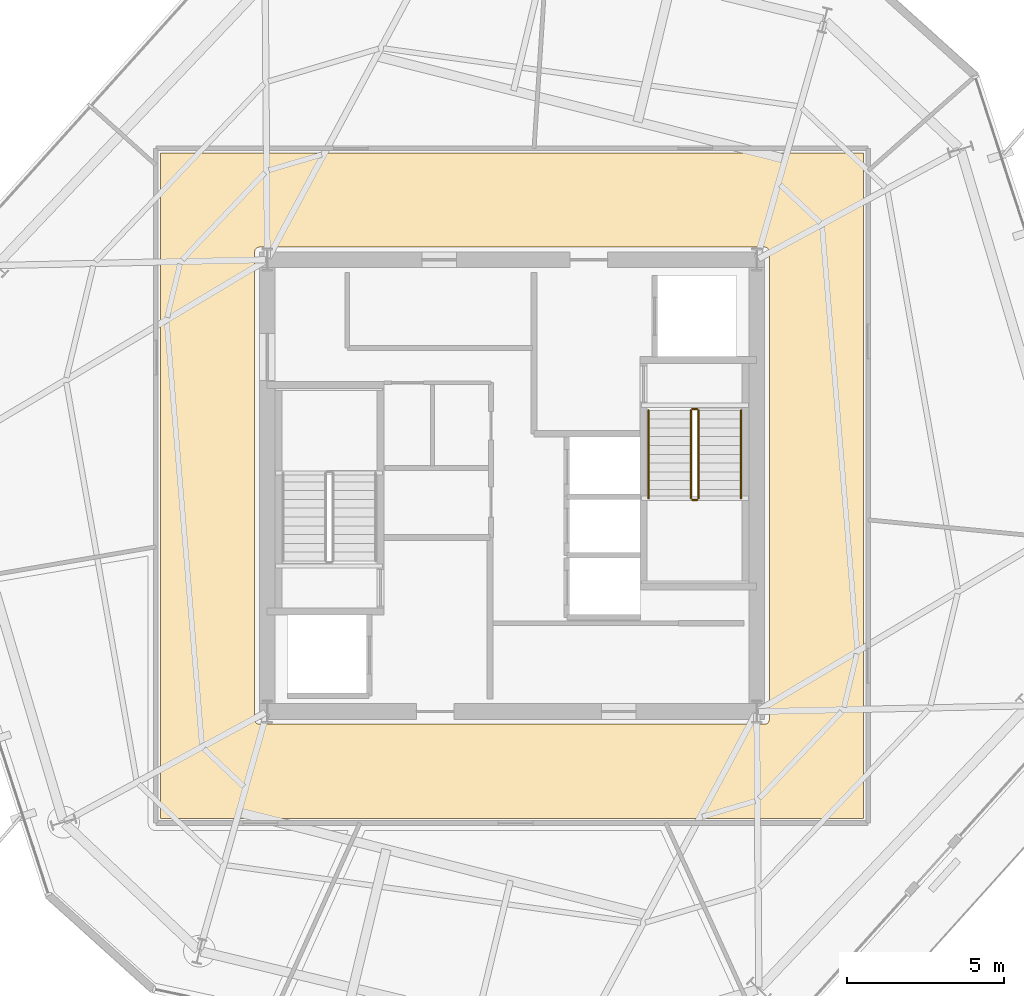
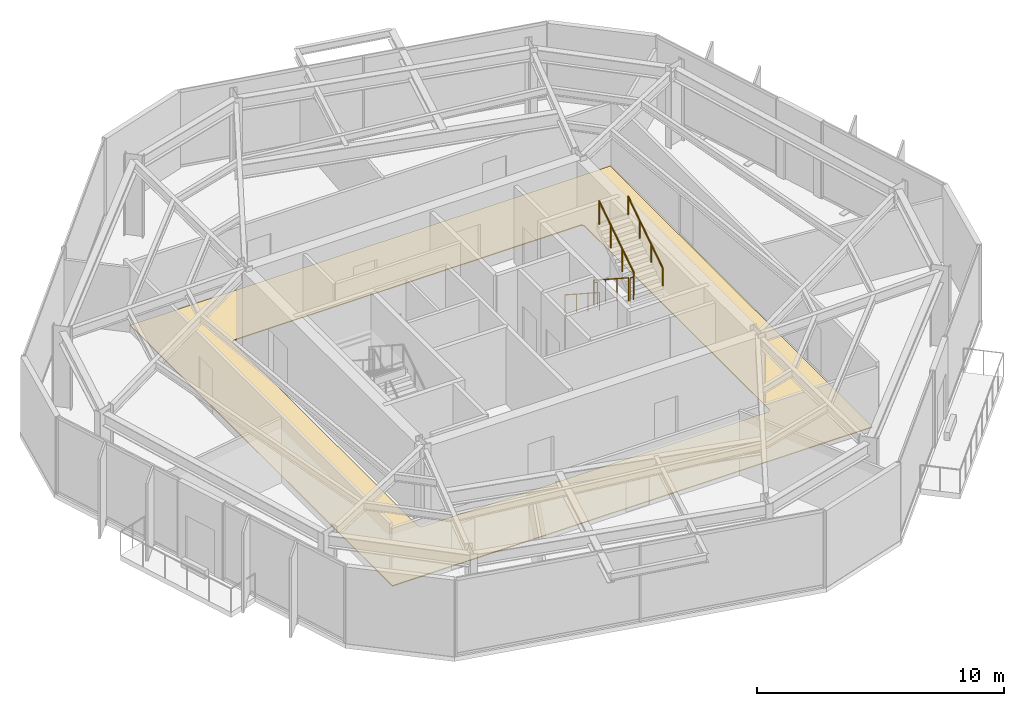
# One storey, part 10 of 11: 6 railings, 1 covering.
"""IFC4 building model written with IfcOpenShell, lengths in metres."""

import ifcopenshell
import ifcopenshell.guid

model = None  # the IFC model being written
_history = None  # IfcOwnerHistory: only IFC2X3 demands one
_inside = {}  # id of a spatial element -> (the spatial element, [elements in it])
_under = {}  # id of a project, library or spatial element -> (it, [spatial elements below it])
_declared = {}  # id of a project -> (the project, [libraries it declares])
_typed = {}  # id of a type object -> (the type object, [elements of that type])
_made_of = {}  # id of a material, layer set ... -> (it, [elements and type objects made of it])


def new_model(schema):
    """Start an empty IFC model of exactly this schema.

    Asked for "IFC4X3", IfcOpenShell would pick the latest addendum, in which some entities
    have other attributes; the version numbers below select the first issue.
    IFC2X3 requires an IfcOwnerHistory on every rooted entity: one is made here for all.
    """
    global model, _history
    if schema == "IFC4X3":
        model = ifcopenshell.file(schema_version=(4, 3, 0, 0))
    else:
        model = ifcopenshell.file(schema=schema)
    _inside.clear()
    _under.clear()
    _declared.clear()
    _typed.clear()
    _made_of.clear()
    _history = None
    if model.schema == "IFC2X3":
        org = make("IfcOrganization", Name="unknown")
        user = make(
            "IfcPersonAndOrganization",
            ThePerson=make("IfcPerson", FamilyName="unknown"),
            TheOrganization=org,
        )
        app = make(
            "IfcApplication",
            ApplicationDeveloper=org,
            Version="unknown",
            ApplicationFullName="unknown",
            ApplicationIdentifier="unknown",
        )
        _history = make(
            "IfcOwnerHistory",
            OwningUser=user,
            OwningApplication=app,
            ChangeAction="ADDED",
            CreationDate=0,
        )
    return model


def make(cls, **values):
    """One entity of the class cls with the attributes given. An attribute that is None is left unset."""
    return model.create_entity(
        cls, **{name: value for name, value in values.items() if value is not None}
    )


def rooted(cls, **values):
    """An entity with a GlobalId (a new one), such as an element, a storey or a relation."""
    return make(cls, GlobalId=ifcopenshell.guid.new(), OwnerHistory=_history, **values)


def si_unit(unit_type, name, prefix=None):
    """IfcSIUnit, for example si_unit("LENGTHUNIT", "METRE", prefix="MILLI")."""
    return make("IfcSIUnit", UnitType=unit_type, Prefix=prefix, Name=name)


def assignment(units):
    """IfcUnitAssignment: the units of a project."""
    return None if units is None else make("IfcUnitAssignment", Units=units)


def point(xyz):
    """IfcCartesianPoint."""
    return None if xyz is None else make("IfcCartesianPoint", Coordinates=xyz)


def direction(xyz):
    """IfcDirection."""
    return None if xyz is None else make("IfcDirection", DirectionRatios=xyz)


def frame(location, z_axis=None, x_axis=None):
    """IfcAxis2Placement3D, a coordinate frame: its origin and axes. An axis left out is left unset."""
    return make(
        "IfcAxis2Placement3D",
        Location=point(location),
        Axis=direction(z_axis),
        RefDirection=direction(x_axis),
    )


def frame_2d(location, x_axis=None):
    """IfcAxis2Placement2D, a coordinate frame in the plane: its origin and x axis."""
    return make(
        "IfcAxis2Placement2D", Location=point(location), RefDirection=direction(x_axis)
    )


def origin():
    """The frame at (0, 0, 0) with its axes left unset."""
    return frame((0.0, 0.0, 0.0))


def origin_2d():
    """The frame at (0, 0) in the plane with its x axis left unset."""
    return frame_2d((0.0, 0.0))


def place(relative_to, where):
    """IfcLocalPlacement: puts the frame where relative to a parent placement (None: the world)."""
    return make(
        "IfcLocalPlacement", PlacementRelTo=relative_to, RelativePlacement=where
    )


def context(
    kind, dimensions, precision=None, world=None, true_north=None, identifier=None
):
    """IfcGeometricRepresentationContext, for example the 3D "Model" context."""
    return make(
        "IfcGeometricRepresentationContext",
        ContextIdentifier=identifier,
        ContextType=kind,
        CoordinateSpaceDimension=dimensions,
        Precision=precision,
        WorldCoordinateSystem=world,
        TrueNorth=true_north,
    )


def subcontext(parent, identifier, kind, view, scale=None):
    """IfcGeometricRepresentationSubContext, for example "Body" below "Model"."""
    return make(
        "IfcGeometricRepresentationSubContext",
        ContextIdentifier=identifier,
        ContextType=kind,
        ParentContext=parent,
        TargetScale=scale,
        TargetView=view,
    )


def project(units=None, contexts=None):
    """IfcProject with its units and contexts."""
    return rooted(
        "IfcProject",
        Name="project",
        RepresentationContexts=contexts,
        UnitsInContext=assignment(units),
    )


def spatial(cls, under=None, at=None, **own):
    """A site, building, storey or space (cls), placed at a placement, below another one or the project."""
    s = rooted(cls, ObjectPlacement=at, **own)
    if under is not None:
        _under.setdefault(under.id(), (under, []))[1].append(s)
    return s


def polyline(points):
    """IfcPolyline through the points."""
    return make("IfcPolyline", Points=[point(p) for p in points])


def profile(cls, at=None, kind="AREA", **sizes):
    """A parametric profile (cls). Its sizes go by their IFC names, for example OverallWidth=200.0."""
    return make(cls, ProfileType=kind, Position=at, **sizes)


def circle(**sizes):
    """IfcCircleProfileDef."""
    return profile("IfcCircleProfileDef", **sizes)


def outline(outer, holes=None, kind="AREA"):
    """IfcArbitraryClosedProfileDef: a profile drawn as a closed curve; with holes, ...WithVoids."""
    if holes is None:
        return make("IfcArbitraryClosedProfileDef", ProfileType=kind, OuterCurve=outer)
    return make(
        "IfcArbitraryProfileDefWithVoids",
        ProfileType=kind,
        OuterCurve=outer,
        InnerCurves=holes,
    )


def extrude(swept, where, along, depth):
    """IfcExtrudedAreaSolid: the profile swept, set in the frame where, extruded along a direction by depth."""
    return make(
        "IfcExtrudedAreaSolid",
        SweptArea=swept,
        Position=where,
        ExtrudedDirection=direction(along),
        Depth=depth,
    )


def shape(context_of_items, identifier, shape_type, items):
    """IfcShapeRepresentation: the items that make up one representation, for example the "Body"."""
    return make(
        "IfcShapeRepresentation",
        ContextOfItems=context_of_items,
        RepresentationIdentifier=identifier,
        RepresentationType=shape_type,
        Items=items,
    )


def material(Name=None, Category=None):
    """IfcMaterial."""
    return make("IfcMaterial", Name=Name, Category=Category)


def layer(
    of_material, thickness, ventilated=None, Name=None, Category=None, Priority=None
):
    """IfcMaterialLayer: one layer of a wall or slab, of a material (None: an air gap)."""
    return make(
        "IfcMaterialLayer",
        Material=of_material,
        LayerThickness=thickness,
        IsVentilated=ventilated,
        Name=Name,
        Category=Category,
        Priority=Priority,
    )


def layer_set(layers, Name=None):
    """IfcMaterialLayerSet."""
    return make("IfcMaterialLayerSet", MaterialLayers=layers, LayerSetName=Name)


def made_of(thing, what):
    """Note that an element or type object is made of a material, layer set ...; save() writes the relation."""
    if what is not None:
        _made_of.setdefault(what.id(), (what, []))[1].append(thing)
    return thing


def type_object(cls, material=None, **own):
    """A type object (cls), such as IfcWallType, which elements share."""
    return made_of(rooted(cls, **own), material)


def element(
    cls,
    number,
    at=None,
    inside=None,
    cuts=None,
    type_object=None,
    material=None,
    context=None,
    identifier="Body",
    shape_type=None,
    held_by="IfcProductDefinitionShape",
    body=None,
    shapes=None,
    **own,
):
    """One element of the class cls, such as IfcWall. Its Tag is "e" and its number.

    at: its placement. inside: the storey or other place that contains it. cuts: it is an
    opening in that element (IfcRelVoidsElement). A single representation is given by context,
    identifier, shape_type and body (its items); several are given by shapes. held_by: the class
    of the entity that holds the representations. save() writes the other relations.
    """
    e = rooted(cls, Tag="e%d" % number, ObjectPlacement=at, **own)
    if body is not None:
        shapes = [shape(context, identifier, shape_type, body)]
    if shapes is not None:
        e.Representation = make(held_by, Representations=shapes)
    if inside is not None:
        _inside.setdefault(inside.id(), (inside, []))[1].append(e)
    if cuts is not None:
        rooted(
            "IfcRelVoidsElement", RelatingBuildingElement=cuts, RelatedOpeningElement=e
        )
    if type_object is not None:
        _typed.setdefault(type_object.id(), (type_object, []))[1].append(e)
    return made_of(e, material)


def aggregate(whole, parts):
    """IfcRelAggregates: a whole, such as a stair, and the parts it consists of."""
    return rooted("IfcRelAggregates", RelatingObject=whole, RelatedObjects=parts)


def save(model, path):
    """Write the relations noted so far, then the file.

    IfcRelAggregates (storeys below a building ...), IfcRelContainedInSpatialStructure (elements
    in a storey), IfcRelDefinesByType, IfcRelAssociatesMaterial and IfcRelDeclares: one each for
    every whole, place, type object, material and project.
    """
    for whole, parts in _under.values():
        aggregate(whole, parts)
    for where, things in _inside.values():
        rooted(
            "IfcRelContainedInSpatialStructure",
            RelatedElements=things,
            RelatingStructure=where,
        )
    for kind, things in _typed.values():
        rooted("IfcRelDefinesByType", RelatedObjects=things, RelatingType=kind)
    for what, things in _made_of.values():
        rooted("IfcRelAssociatesMaterial", RelatedObjects=things, RelatingMaterial=what)
    for by, libraries in _declared.values():
        rooted("IfcRelDeclares", RelatingContext=by, RelatedDefinitions=libraries)
    model.write(path)


model = new_model("IFC4")

# Units and contexts
model_context = context("Model", 3, precision=1e-05, world=origin(), true_north=direction((0.0, 1.0)))
body_context = subcontext(model_context, "Body", "Model", "MODEL_VIEW")
ifc_project = project(units=[si_unit("LENGTHUNIT", "METRE"), si_unit("AREAUNIT", "SQUARE_METRE"), si_unit("VOLUMEUNIT", "CUBIC_METRE"), si_unit("PLANEANGLEUNIT", "RADIAN"), si_unit("MASSUNIT", "GRAM", prefix="KILO")], contexts=[model_context])

# Site, building, storey
site_placement = place(None, origin())
site = spatial("IfcSite", under=ifc_project, at=site_placement, CompositionType="ELEMENT")
building_placement = place(site_placement, origin())
building = spatial("IfcBuilding", under=site, at=building_placement, Name="Kranzbogen Civic Tower", CompositionType="ELEMENT")
storey_placement = place(building_placement, frame((0.0, 0.0, 216.800048828125)))
storey = spatial("IfcBuildingStorey", under=building, at=storey_placement, Name="L52", CompositionType="ELEMENT", Elevation=216.800048828125)

# Covering
ifc_material_1 = material(Name="Honed Natural Stone Flooring", Category="masonry")
ifc_layer = layer(ifc_material_1, 0.0400390625, Name="Honed Natural Stone Flooring")
ifc_layer_set = layer_set([ifc_layer], Name="Honed Natural Stone Flooring")
covering_type = type_object("IfcCoveringType", Name="Honed Limestone Lobby Flooring 40 mm", PredefinedType="FLOORING", material=ifc_layer_set)
covering_placement = place(storey_placement, origin())
element("IfcCovering", 1, at=covering_placement, inside=storey, type_object=covering_type, Name="L52 concourse stone flooring 1", PredefinedType="FLOORING", context=body_context, shape_type="SweptSolid", body=[
    extrude(outline(polyline([(13.800048828125, 35.60009765625), (36.199951171875, 35.60009765625), (36.199951171875, 14.39990234375), (13.800048828125, 14.39990234375), (13.800048828125, 35.60009765625)]), holes=[polyline([(33.050048828125, 32.60009765625), (33.06494140625, 32.59912109375), (33.0791015625, 32.596923828125), (33.093994140625, 32.593994140625), (33.10693359375, 32.589111328125), (33.12109375, 32.58203125), (33.133056640625, 32.574951171875), (33.14501953125, 32.56591796875), (33.156005859375, 32.555908203125), (33.166015625, 32.544921875), (33.175048828125, 32.532958984375), (33.181884765625, 32.52099609375), (33.18896484375, 32.507080078125), (33.194091796875, 32.493896484375), (33.197021484375, 32.47900390625), (33.198974609375, 32.465087890625), (33.199951171875, 32.449951171875), (33.199951171875, 17.550048828125), (33.198974609375, 17.534912109375), (33.197021484375, 17.52099609375), (33.194091796875, 17.506103515625), (33.18896484375, 17.492919921875), (33.181884765625, 17.47900390625), (33.175048828125, 17.467041015625), (33.166015625, 17.455078125), (33.156005859375, 17.444091796875), (33.14501953125, 17.43408203125), (33.133056640625, 17.425048828125), (33.12109375, 17.41796875), (33.10693359375, 17.410888671875), (33.093994140625, 17.406005859375), (33.0791015625, 17.403076171875), (33.06494140625, 17.40087890625), (33.050048828125, 17.39990234375), (16.949951171875, 17.39990234375), (16.93505859375, 17.40087890625), (16.9208984375, 17.403076171875), (16.906005859375, 17.406005859375), (16.89306640625, 17.410888671875), (16.87890625, 17.41796875), (16.866943359375, 17.425048828125), (16.85498046875, 17.43408203125), (16.843994140625, 17.444091796875), (16.833984375, 17.455078125), (16.824951171875, 17.467041015625), (16.818115234375, 17.47900390625), (16.81103515625, 17.492919921875), (16.805908203125, 17.506103515625), (16.802978515625, 17.52099609375), (16.801025390625, 17.534912109375), (16.800048828125, 17.550048828125), (16.800048828125, 32.449951171875), (16.801025390625, 32.465087890625), (16.802978515625, 32.47900390625), (16.805908203125, 32.493896484375), (16.81103515625, 32.507080078125), (16.818115234375, 32.52099609375), (16.824951171875, 32.532958984375), (16.833984375, 32.544921875), (16.843994140625, 32.555908203125), (16.85498046875, 32.56591796875), (16.866943359375, 32.574951171875), (16.87890625, 32.58203125), (16.89306640625, 32.589111328125), (16.906005859375, 32.593994140625), (16.9208984375, 32.596923828125), (16.93505859375, 32.59912109375), (16.949951171875, 32.60009765625), (33.050048828125, 32.60009765625)])]), origin(), (0.0, 0.0, 1.0), 0.0400390625),
])

# Railings
ifc_material_2 = material(Name="Steel S355", Category="steel")
railing_type_1 = type_object("IfcRailingType", Name="Internal Stair and Void Steel Guardrail 1150", PredefinedType="GUARDRAIL", material=ifc_material_2)
railing_1_placement = place(storey_placement, frame((30.699951171875, 27.39990234375, 0.181884765625)))
element("IfcRailing", 2, at=railing_1_placement, inside=storey, type_object=railing_type_1, Name="L52 ST-T2 stair guard 1", PredefinedType="GUARDRAIL", context=body_context, shape_type="SweptSolid", body=[
    extrude(circle(Radius=0.02392578125, at=origin_2d()), frame((0.0, 0.0, 1.1259765625), z_axis=(0.0, -0.83868413941, 0.544618136222), x_axis=(1.0, 0.0, 0.0)), (0.0, 0.0, 1.0), 3.33837890625),
    extrude(circle(Radius=0.02099609375, at=origin_2d()), origin(), (0.0, 0.0, 1.0), 1.101806640625),
    extrude(circle(Radius=0.02099609375, at=origin_2d()), frame((0.0, -0.933349609375, 0.60595703125)), (0.0, 0.0, 1.0), 1.101806640625),
    extrude(circle(Radius=0.02099609375, at=origin_2d()), frame((0.0, -1.866455078125, 1.212158203125)), (0.0, 0.0, 1.0), 1.101806640625),
    extrude(circle(Radius=0.02099609375, at=origin_2d()), frame((0.0, -2.7998046875, 1.818115234375)), (0.0, 0.0, 1.0), 1.101806640625),
])
railing_2_placement = place(storey_placement, frame((30.75, 24.550048828125, 2.0)))
element("IfcRailing", 3, at=railing_2_placement, inside=storey, type_object=railing_type_1, Name="L52 ST-T2 stair guard 2", PredefinedType="GUARDRAIL", context=body_context, shape_type="SweptSolid", body=[
    extrude(circle(Radius=0.02392578125, at=origin_2d()), frame((0.0, 0.0, 1.1259765625), z_axis=(1.0, 0.0, 0.0), x_axis=(0.0, 1.0, 0.0)), (0.0, 0.0, 1.0), 0.14990234375),
    extrude(circle(Radius=0.02099609375, at=origin_2d()), origin(), (0.0, 0.0, 1.0), 1.101806640625),
    extrude(circle(Radius=0.02099609375, at=origin_2d()), frame((0.14990234375, 0.0, 0.0)), (0.0, 0.0, 1.0), 1.101806640625),
])
railing_3_placement = place(storey_placement, frame((30.949951171875, 24.60009765625, 2.181884765625)))
element("IfcRailing", 4, at=railing_3_placement, inside=storey, type_object=railing_type_1, Name="L52 ST-T2 stair guard 3", PredefinedType="GUARDRAIL", context=body_context, shape_type="SweptSolid", body=[
    extrude(circle(Radius=0.02392578125, at=origin_2d()), frame((0.0, 0.0, 1.1259765625), z_axis=(0.0, 0.83868413941, 0.544618136222), x_axis=(-1.0, 0.0, 0.0)), (0.0, 0.0, 1.0), 3.33837890625),
    extrude(circle(Radius=0.02099609375, at=origin_2d()), origin(), (0.0, 0.0, 1.0), 1.101806640625),
    extrude(circle(Radius=0.02099609375, at=origin_2d()), frame((0.0, 0.933349609375, 0.60595703125)), (0.0, 0.0, 1.0), 1.101806640625),
    extrude(circle(Radius=0.02099609375, at=origin_2d()), frame((0.0, 1.866455078125, 1.212158203125)), (0.0, 0.0, 1.0), 1.101806640625),
    extrude(circle(Radius=0.02099609375, at=origin_2d()), frame((0.0, 2.7998046875, 1.818115234375)), (0.0, 0.0, 1.0), 1.101806640625),
])
railing_4_placement = place(storey_placement, frame((30.75, 27.449951171875, 0.0)))
element("IfcRailing", 5, at=railing_4_placement, inside=storey, type_object=railing_type_1, Name="L52 ST-T2 stair guard 4", PredefinedType="GUARDRAIL", context=body_context, shape_type="SweptSolid", body=[
    extrude(circle(Radius=0.02392578125, at=origin_2d()), frame((0.0, 0.0, 1.1259765625), z_axis=(1.0, 0.0, 0.0), x_axis=(0.0, 1.0, 0.0)), (0.0, 0.0, 1.0), 0.14990234375),
    extrude(circle(Radius=0.02099609375, at=origin_2d()), origin(), (0.0, 0.0, 1.0), 1.101806640625),
    extrude(circle(Radius=0.02099609375, at=origin_2d()), frame((0.14990234375, 0.0, 0.0)), (0.0, 0.0, 1.0), 1.101806640625),
])
ifc_material_3 = material(Name="Pale Anodised Aluminium", Category="aluminium")
railing_type_2 = type_object("IfcRailingType", Name="Tubular Stainless Stair Wall Handrail 900", PredefinedType="HANDRAIL", material=ifc_material_3)
railing_5_placement = place(storey_placement, frame((29.35009765625, 27.39990234375, 0.181884765625)))
element("IfcRailing", 6, at=railing_5_placement, inside=storey, type_object=railing_type_2, Name="L52 ST-T2 stair handrail 1", PredefinedType="HANDRAIL", context=body_context, shape_type="SweptSolid", body=[
    extrude(circle(Radius=0.02392578125, at=origin_2d()), frame((0.0, 0.0, 0.8759765625), z_axis=(0.0, -0.83868413941, 0.544618136222), x_axis=(1.0, 0.0, 0.0)), (0.0, 0.0, 1.0), 3.33837890625),
    extrude(circle(Radius=0.02099609375, at=origin_2d()), origin(), (0.0, 0.0, 1.0), 0.851806640625),
    extrude(circle(Radius=0.02099609375, at=origin_2d()), frame((0.0, -0.933349609375, 0.60595703125)), (0.0, 0.0, 1.0), 0.851806640625),
    extrude(circle(Radius=0.02099609375, at=origin_2d()), frame((0.0, -1.866455078125, 1.212158203125)), (0.0, 0.0, 1.0), 0.851806640625),
    extrude(circle(Radius=0.02099609375, at=origin_2d()), frame((0.0, -2.7998046875, 1.818115234375)), (0.0, 0.0, 1.0), 0.851806640625),
])
railing_6_placement = place(storey_placement, frame((32.300048828125, 24.60009765625, 2.181884765625)))
element("IfcRailing", 7, at=railing_6_placement, inside=storey, type_object=railing_type_2, Name="L52 ST-T2 stair handrail 2", PredefinedType="HANDRAIL", context=body_context, shape_type="SweptSolid", body=[
    extrude(circle(Radius=0.02392578125, at=origin_2d()), frame((0.0, 0.0, 0.8759765625), z_axis=(0.0, 0.83868413941, 0.544618136222), x_axis=(-1.0, 0.0, 0.0)), (0.0, 0.0, 1.0), 3.33837890625),
    extrude(circle(Radius=0.02099609375, at=origin_2d()), origin(), (0.0, 0.0, 1.0), 0.851806640625),
    extrude(circle(Radius=0.02099609375, at=origin_2d()), frame((0.0, 0.933349609375, 0.60595703125)), (0.0, 0.0, 1.0), 0.851806640625),
    extrude(circle(Radius=0.02099609375, at=origin_2d()), frame((0.0, 1.866455078125, 1.212158203125)), (0.0, 0.0, 1.0), 0.851806640625),
    extrude(circle(Radius=0.02099609375, at=origin_2d()), frame((0.0, 2.7998046875, 1.818115234375)), (0.0, 0.0, 1.0), 0.851806640625),
])

save(model, "model.ifc")
